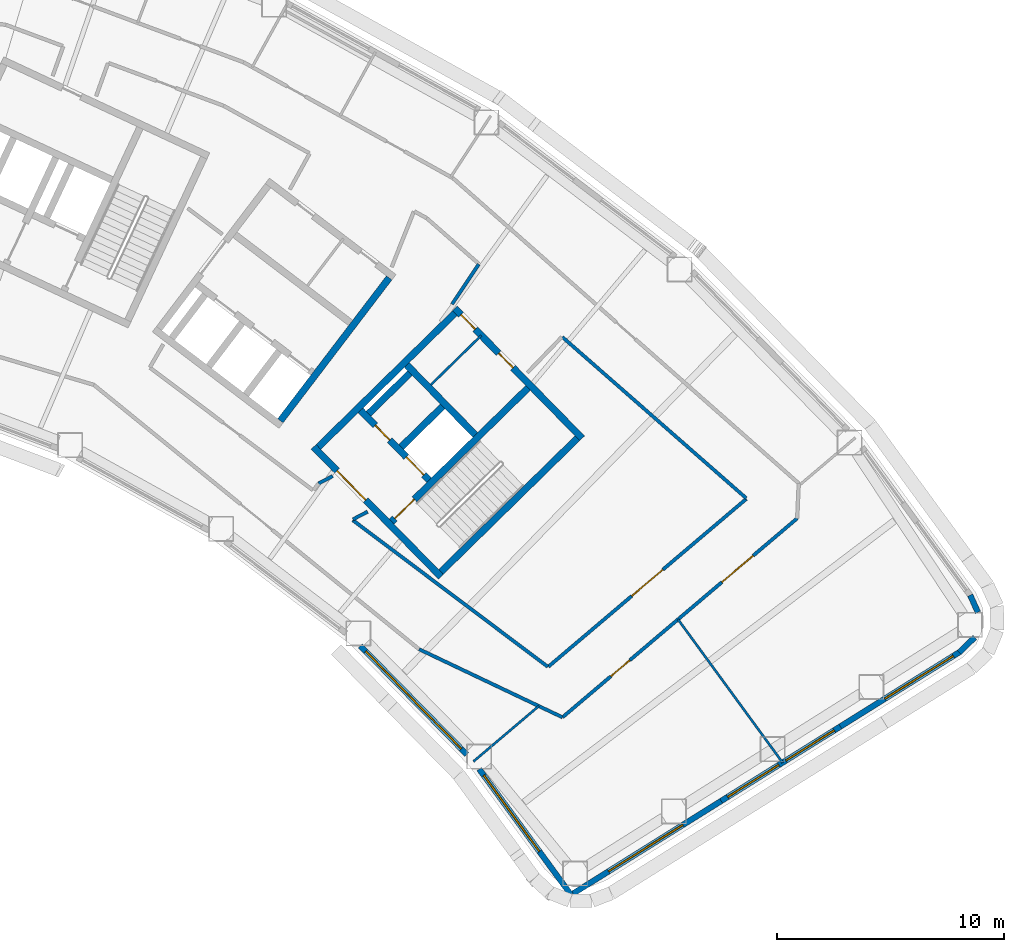
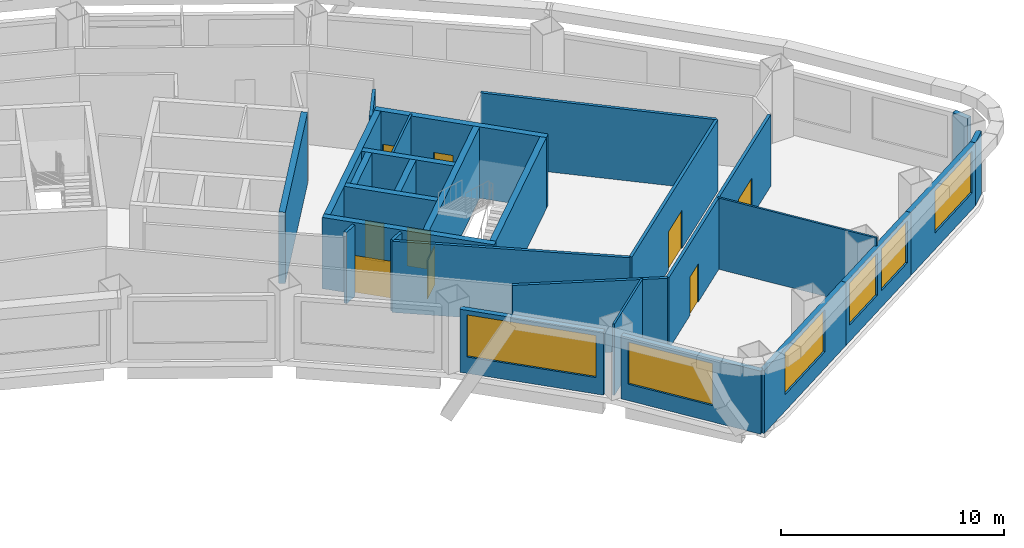
# One storey, part 7 of 12: 28 walls, 9 doors, 6 windows, 15 openings.
"""IFC4 building model written with IfcOpenShell, lengths in metres."""

from ifc_helpers import new_model, si_unit, direction, frame, frame_2d, origin, place, context, subcontext, project, spatial, rectangle, extrude, material, layer, layer_set, type_object, element, fill, save


model = new_model("IFC4")

# Units and contexts
model_context = context("Model", 3, precision=1e-05, world=origin(), true_north=direction((0.0, 1.0)))
body_context = subcontext(model_context, "Body", "Model", "MODEL_VIEW")
ifc_project = project(units=[si_unit("LENGTHUNIT", "METRE"), si_unit("AREAUNIT", "SQUARE_METRE"), si_unit("VOLUMEUNIT", "CUBIC_METRE"), si_unit("PLANEANGLEUNIT", "RADIAN"), si_unit("MASSUNIT", "GRAM", prefix="KILO")], contexts=[model_context])

# Site, building, storey
site_placement = place(None, origin())
site = spatial("IfcSite", under=ifc_project, at=site_placement, CompositionType="ELEMENT")
building_placement = place(site_placement, origin())
building = spatial("IfcBuilding", under=site, at=building_placement, Name="Tuul Gate Civic Tower", CompositionType="ELEMENT")
storey_placement = place(building_placement, frame((0.0, 0.0, 103.5)))
storey = spatial("IfcBuildingStorey", under=building, at=storey_placement, Name="Level 23", CompositionType="ELEMENT", Elevation=103.5)

# Wall, opening, door
ifc_material_1 = material(Name="Concrete C50/60", Category="concrete")
ifc_layer_1 = layer(ifc_material_1, 0.300048828125)
ifc_layer_set_1 = layer_set([ifc_layer_1], Name="Concrete C50/60")
wall_type_1 = type_object("IfcWallType", Name="Core wall C50/60", PredefinedType="SHEAR", material=ifc_layer_set_1)
wall_1_placement = place(storey_placement, frame((48.22509765625, -18.327880859375, 0.0), z_axis=(0.0, 0.0, 1.0), x_axis=(-0.700021979774, 0.714121297703, 0.0)))
wall_1 = element("IfcWall", 1, at=wall_1_placement, inside=storey, type_object=wall_type_1, Name="Core wall", PredefinedType="SHEAR", context=body_context, shape_type="SweptSolid", body=[
    extrude(rectangle(XDim=8.0, YDim=0.300048828125, at=frame_2d((4.0, 0.0))), origin(), (0.0, 0.0, 1.0), 3.89990234375),
])
opening_1_placement = place(wall_1_placement, frame((4.72509765625, 0.0, 0.0)))
opening_1 = element("IfcOpeningElement", 2, at=opening_1_placement, cuts=wall_1, Name="Opening LB-E1-LOBBY-1", PredefinedType="OPENING", context=body_context, shape_type="SweptSolid", body=[
    extrude(rectangle(XDim=1.800048828125, YDim=2.10009765625, at=frame_2d((0.89990234375, 1.050048828125))), frame((0.0, 0.16015625, 0.0), z_axis=(0.0, -1.0, 0.0), x_axis=(1.0, 0.0, 0.0)), (0.0, 0.0, 1.0), 0.320068359375),
])
ifc_material_2 = material(Name="Steel", Category="steel")
door_type_1 = type_object("IfcDoorType", Name="Lobby door", OperationType="DOUBLE_DOOR_SINGLE_SWING", PredefinedType="DOOR", material=ifc_material_2)
door_1_placement = place(opening_1_placement, frame((1.800048828125, 0.0, 0.0), z_axis=(0.0, 0.0, 1.0), x_axis=(-1.0, 0.0, 0.0)))
door_1 = element("IfcDoor", 3, at=door_1_placement, inside=storey, type_object=door_type_1, Name="Lobby door E1-LOBBY", OperationType="DOUBLE_DOOR_SINGLE_SWING", OverallHeight=2.10009765625, OverallWidth=1.800048828125, PredefinedType="DOOR", context=body_context, shape_type="SweptSolid", body=[
    extrude(rectangle(XDim=1.800048828125, YDim=2.10009765625, at=frame_2d((0.900146484375, 1.050048828125))), frame((0.0, 0.02490234375, 0.0), z_axis=(0.0, -1.0, 0.0), x_axis=(1.0, 0.0, 0.0)), (0.0, 0.0, 1.0), 0.050048828125),
])
fill(opening_1, door_1)

# Wall, openings, doors
wall_2_placement = place(storey_placement, frame((47.701904296875, -14.079833984375, 0.0), z_axis=(0.0, 0.0, 1.0), x_axis=(-0.700002721075, 0.714140175657, 0.0)))
wall_2 = element("IfcWall", 4, at=wall_2_placement, inside=storey, type_object=wall_type_1, Name="Core wall", PredefinedType="SHEAR", context=body_context, shape_type="SweptSolid", body=[
    extrude(rectangle(XDim=4.300048828125, YDim=0.300048828125, at=frame_2d((2.14990234375, 0.0))), origin(), (0.0, 0.0, 1.0), 3.89990234375),
])
opening_2_placement = place(wall_2_placement, frame((0.324951171875, 0.0, 0.0)))
opening_2 = element("IfcOpeningElement", 5, at=opening_2_placement, cuts=wall_2, Name="Opening LD-L4", PredefinedType="OPENING", context=body_context, shape_type="SweptSolid", body=[
    extrude(rectangle(XDim=1.10009765625, YDim=2.10009765625, at=frame_2d((0.550048828125, 1.050048828125))), frame((0.0, 0.16015625, 0.0), z_axis=(0.0, -1.0, 0.0), x_axis=(1.0, 0.0, 0.0)), (0.0, 0.0, 1.0), 0.320068359375),
])
opening_3_placement = place(wall_2_placement, frame((2.47509765625, 0.0, 0.0)))
opening_3 = element("IfcOpeningElement", 6, at=opening_3_placement, cuts=wall_2, Name="Opening FB-E1A2", PredefinedType="OPENING", context=body_context, shape_type="SweptSolid", body=[
    extrude(rectangle(XDim=0.89990234375, YDim=2.10009765625, at=frame_2d((0.449951171875, 1.050048828125))), frame((0.0, 0.16015625, 0.0), z_axis=(0.0, -1.0, 0.0), x_axis=(1.0, 0.0, 0.0)), (0.0, 0.0, 1.0), 0.320068359375),
])
ifc_material_3 = material(Name="Stainless steel", Category="steel")
door_type_2 = type_object("IfcDoorType", Name="Landing door", OperationType="DOUBLE_DOOR_SLIDING", PredefinedType="DOOR", material=ifc_material_3)
door_2_placement = place(opening_2_placement, origin())
door_2 = element("IfcDoor", 7, at=door_2_placement, inside=storey, type_object=door_type_2, Name="Low-rise lift L4 landing door", OperationType="DOUBLE_DOOR_SLIDING", OverallHeight=2.10009765625, OverallWidth=1.10009765625, PredefinedType="DOOR", context=body_context, shape_type="SweptSolid", body=[
    extrude(rectangle(XDim=1.10009765625, YDim=2.10009765625, at=frame_2d((0.550048828125, 1.050048828125))), frame((0.0, 0.02490234375, 0.0), z_axis=(0.0, -1.0, 0.0), x_axis=(1.0, 0.0, 0.0)), (0.0, 0.0, 1.0), 0.050048828125),
])
fill(opening_2, door_2)
ifc_material_4 = material(Name="Steel", Category="steel")
door_type_3 = type_object("IfcDoorType", Name="Store door", OperationType="NOTDEFINED", PredefinedType="DOOR", material=ifc_material_4)
door_3_placement = place(opening_3_placement, origin())
door_3 = element("IfcDoor", 8, at=door_3_placement, inside=storey, type_object=door_type_3, Name="Store door E1A2", OperationType="SINGLE_SWING_RIGHT", OverallHeight=2.10009765625, OverallWidth=0.89990234375, PredefinedType="DOOR", context=body_context, shape_type="SweptSolid", body=[
    extrude(rectangle(XDim=0.89990234375, YDim=2.10009765625, at=frame_2d((0.449951171875, 1.050048828125))), frame((0.0, 0.02490234375, 0.0), z_axis=(0.0, -1.0, 0.0), x_axis=(1.0, 0.0, 0.0)), (0.0, 0.0, 1.0), 0.050048828125),
])
fill(opening_3, door_3)

# Wall
wall_3_placement = place(storey_placement, frame((49.737060546875, -12.0849609375, 0.0), z_axis=(0.0, 0.0, 1.0), x_axis=(-0.700002721075, 0.714140175657, 0.0)))
element("IfcWall", 9, at=wall_3_placement, inside=storey, type_object=wall_type_1, Name="Core wall", PredefinedType="SHEAR", context=body_context, shape_type="SweptSolid", body=[
    extrude(rectangle(XDim=4.300048828125, YDim=0.300048828125, at=frame_2d((2.14990234375, 0.0))), origin(), (0.0, 0.0, 1.0), 3.89990234375),
])

# Wall, openings, doors
wall_4_placement = place(storey_placement, frame((54.43798828125, -12.23779296875, 0.0), z_axis=(0.0, 0.0, 1.0), x_axis=(-0.700021979774, 0.714121297703, 0.0)))
wall_4 = element("IfcWall", 10, at=wall_4_placement, inside=storey, type_object=wall_type_1, Name="Core wall", PredefinedType="SHEAR", context=body_context, shape_type="SweptSolid", body=[
    extrude(rectangle(XDim=8.0, YDim=0.300048828125, at=frame_2d((4.0, 0.0))), origin(), (0.0, 0.0, 1.0), 3.89990234375),
])
opening_4_placement = place(wall_4_placement, frame((4.34375, 0.0, 0.0)))
opening_4 = element("IfcOpeningElement", 11, at=opening_4_placement, cuts=wall_4, Name="Opening G-D29", PredefinedType="OPENING", context=body_context, shape_type="SweptSolid", body=[
    extrude(rectangle(XDim=0.89990234375, YDim=2.10009765625, at=frame_2d((0.449951171875, 1.050048828125))), frame((0.0, 0.16015625, 0.0), z_axis=(0.0, -1.0, 0.0), x_axis=(1.0, 0.0, 0.0)), (0.0, 0.0, 1.0), 0.320068359375),
])
opening_5_placement = place(wall_4_placement, frame((6.71875, 0.0, 0.0)))
opening_5 = element("IfcOpeningElement", 12, at=opening_5_placement, cuts=wall_4, Name="Opening G-D30", PredefinedType="OPENING", context=body_context, shape_type="SweptSolid", body=[
    extrude(rectangle(XDim=0.89990234375, YDim=2.10009765625, at=frame_2d((0.449951171875, 1.050048828125))), frame((0.0, 0.16015625, 0.0), z_axis=(0.0, -1.0, 0.0), x_axis=(1.0, 0.0, 0.0)), (0.0, 0.0, 1.0), 0.320068359375),
])
ifc_material_5 = material(Name="Timber door leaf", Category="wood")
door_type_4 = type_object("IfcDoorType", Name="Door D09", OperationType="NOTDEFINED", PredefinedType="DOOR", material=ifc_material_5)
door_4_placement = place(opening_4_placement, origin())
door_4 = element("IfcDoor", 13, at=door_4_placement, inside=storey, type_object=door_type_4, Name="Door G-D29", OperationType="SINGLE_SWING_LEFT", OverallHeight=2.10009765625, OverallWidth=0.89990234375, PredefinedType="DOOR", context=body_context, shape_type="SweptSolid", body=[
    extrude(rectangle(XDim=0.89990234375, YDim=2.10009765625, at=frame_2d((0.449951171875, 1.050048828125))), frame((0.0, 0.02490234375, 0.0), z_axis=(0.0, -1.0, 0.0), x_axis=(1.0, 0.0, 0.0)), (0.0, 0.0, 1.0), 0.050048828125),
])
fill(opening_4, door_4)
door_5_placement = place(opening_5_placement, origin())
door_5 = element("IfcDoor", 14, at=door_5_placement, inside=storey, type_object=door_type_4, Name="Door G-D30", OperationType="SINGLE_SWING_LEFT", OverallHeight=2.10009765625, OverallWidth=0.89990234375, PredefinedType="DOOR", context=body_context, shape_type="SweptSolid", body=[
    extrude(rectangle(XDim=0.89990234375, YDim=2.10009765625, at=frame_2d((0.449951171875, 1.050048828125))), frame((0.0, 0.02490234375, 0.0), z_axis=(0.0, -1.0, 0.0), x_axis=(1.0, 0.0, 0.0)), (0.0, 0.0, 1.0), 0.050048828125),
])
fill(opening_5, door_5)

# Wall
wall_5_placement = place(storey_placement, frame((48.227294921875, -18.115966796875, 0.0), z_axis=(0.0, 0.0, 1.0), x_axis=(0.714105315431, 0.700038283577, 0.0)))
element("IfcWall", 15, at=wall_5_placement, inside=storey, type_object=wall_type_1, Name="Core wall", PredefinedType="SHEAR", context=body_context, shape_type="SweptSolid", body=[
    extrude(rectangle(XDim=8.400146484375, YDim=0.300048828125, at=frame_2d((4.2001953125, 0.0))), origin(), (0.0, 0.0, 1.0), 3.89990234375),
])

# Wall, opening, door
wall_6_placement = place(storey_placement, frame((46.05712890625, -15.902099609375, 0.0), z_axis=(0.0, 0.0, 1.0), x_axis=(0.714134086973, 0.700008932674, 0.0)))
wall_6 = element("IfcWall", 16, at=wall_6_placement, inside=storey, type_object=wall_type_1, Name="Core wall", PredefinedType="SHEAR", context=body_context, shape_type="SweptSolid", body=[
    extrude(rectangle(XDim=8.400146484375, YDim=0.300048828125, at=frame_2d((4.2001953125, 0.0))), origin(), (0.0, 0.0, 1.0), 3.89990234375),
])
opening_6_placement = place(wall_6_placement, frame((0.199951171875, 0.0, 0.0)))
opening_6 = element("IfcOpeningElement", 17, at=opening_6_placement, cuts=wall_6, Name="Opening SD-ST-3", PredefinedType="OPENING", context=body_context, shape_type="SweptSolid", body=[
    extrude(rectangle(XDim=1.199951171875, YDim=2.10009765625, at=frame_2d((0.60009765625, 1.050048828125))), frame((0.0, 0.16015625, 0.0), z_axis=(0.0, -1.0, 0.0), x_axis=(1.0, 0.0, 0.0)), (0.0, 0.0, 1.0), 0.320068359375),
])
ifc_material_6 = material(Name="Steel", Category="steel")
door_type_5 = type_object("IfcDoorType", Name="Stair door", OperationType="NOTDEFINED", PredefinedType="DOOR", material=ifc_material_6)
door_6_placement = place(opening_6_placement, origin())
door_6 = element("IfcDoor", 18, at=door_6_placement, inside=storey, type_object=door_type_5, Name="Stair door ST-3", OperationType="SINGLE_SWING_LEFT", OverallHeight=2.10009765625, OverallWidth=1.199951171875, PredefinedType="DOOR", context=body_context, shape_type="SweptSolid", body=[
    extrude(rectangle(XDim=1.199951171875, YDim=2.10009765625, at=frame_2d((0.60009765625, 1.050048828125))), frame((0.0, 0.02490234375, 0.0), z_axis=(0.0, -1.0, 0.0), x_axis=(1.0, 0.0, 0.0)), (0.0, 0.0, 1.0), 0.050048828125),
])
fill(opening_6, door_6)

# Walls
wall_7_placement = place(storey_placement, frame((46.47900390625, -12.617919921875, 0.0), z_axis=(0.0, 0.0, 1.0), x_axis=(0.71410944159, 0.700034074479, 0.0)))
element("IfcWall", 19, at=wall_7_placement, inside=storey, type_object=wall_type_1, Name="Core wall", PredefinedType="SHEAR", context=body_context, shape_type="SweptSolid", body=[
    extrude(rectangle(XDim=2.5498046875, YDim=0.300048828125, at=frame_2d((1.27490234375, 0.0))), origin(), (0.0, 0.0, 1.0), 3.89990234375),
])
wall_8_placement = place(storey_placement, frame((45.0439453125, -11.154052734375, 0.0), z_axis=(0.0, 0.0, 1.0), x_axis=(0.714108498262, 0.700035036773, 0.0)))
element("IfcWall", 20, at=wall_8_placement, inside=storey, type_object=wall_type_1, Name="Core wall", PredefinedType="SHEAR", context=body_context, shape_type="SweptSolid", body=[
    extrude(rectangle(XDim=2.550048828125, YDim=0.300048828125, at=frame_2d((1.27490234375, 0.0))), origin(), (0.0, 0.0, 1.0), 3.89990234375),
])
wall_9_placement = place(storey_placement, frame((42.837158203125, -12.616943359375, 0.0), z_axis=(0.0, 0.0, 1.0), x_axis=(0.714119844755, 0.700023461983, 0.0)))
element("IfcWall", 21, at=wall_9_placement, inside=storey, type_object=wall_type_1, Name="Core wall", PredefinedType="SHEAR", context=body_context, shape_type="SweptSolid", body=[
    extrude(rectangle(XDim=8.39990234375, YDim=0.300048828125, at=frame_2d((4.199951171875, 0.0))), origin(), (0.0, 0.0, 1.0), 3.89990234375),
])
ifc_material_7 = material(Name="Gypsum board partition")
ifc_layer_2 = layer(ifc_material_7, 0.14990234375)
ifc_layer_set_2 = layer_set([ifc_layer_2], Name="Gypsum board partition")
wall_type_2 = type_object("IfcWallType", Name="Corridor wall P150", PredefinedType="PARTITIONING", material=ifc_layer_set_2)
wall_10_placement = place(storey_placement, frame((47.263916015625, -21.514892578125, 0.0), z_axis=(0.0, 0.0, 1.0), x_axis=(0.90329952293, -0.429010456603, 0.0)))
element("IfcWall", 22, at=wall_10_placement, inside=storey, type_object=wall_type_2, Name="p030", PredefinedType="PARTITIONING", context=body_context, shape_type="SweptSolid", body=[
    extrude(rectangle(XDim=6.982666015625, YDim=0.14990234375, at=frame_2d((3.4912109375, 0.0))), origin(), (0.0, 0.0, 1.0), 3.89990234375),
])
wall_11_placement = place(storey_placement, frame((53.56689453125, -7.78369140625, 0.0), z_axis=(0.0, 0.0, 1.0), x_axis=(0.752056289821, -0.659098882521, 0.0)))
element("IfcWall", 23, at=wall_11_placement, inside=storey, type_object=wall_type_2, Name="p045", PredefinedType="PARTITIONING", context=body_context, shape_type="SweptSolid", body=[
    extrude(rectangle(XDim=10.757568359375, YDim=0.14990234375, at=frame_2d((5.37890625, 0.0))), origin(), (0.0, 0.0, 1.0), 3.89990234375),
])

# Wall, opening, door
wall_12_placement = place(storey_placement, frame((52.9501953125, -22.284423828125, 0.0), z_axis=(0.0, 0.0, 1.0), x_axis=(0.762831044149, 0.646597864273, 0.0)))
wall_12 = element("IfcWall", 24, at=wall_12_placement, inside=storey, type_object=wall_type_2, Name="p046", PredefinedType="PARTITIONING", context=body_context, shape_type="SweptSolid", body=[
    extrude(rectangle(XDim=11.413818359375, YDim=0.14990234375, at=frame_2d((5.70703125, 0.0))), origin(), (0.0, 0.0, 1.0), 3.89990234375),
])
opening_7_placement = place(wall_12_placement, frame((4.806884765625, 0.0, 0.0)))
opening_7 = element("IfcOpeningElement", 25, at=opening_7_placement, cuts=wall_12, Name="Opening G-D14", PredefinedType="OPENING", context=body_context, shape_type="SweptSolid", body=[
    extrude(rectangle(XDim=1.800048828125, YDim=2.10009765625, at=frame_2d((0.89990234375, 1.050048828125))), frame((0.0, 0.0849609375, 0.0), z_axis=(0.0, -1.0, 0.0), x_axis=(1.0, 0.0, 0.0)), (0.0, 0.0, 1.0), 0.169921875),
])
ifc_material_8 = material(Name="Timber door leaf, double", Category="wood")
door_type_6 = type_object("IfcDoorType", Name="Door D18", OperationType="DOUBLE_DOOR_SINGLE_SWING", PredefinedType="DOOR", material=ifc_material_8)
door_7_placement = place(opening_7_placement, origin())
door_7 = element("IfcDoor", 26, at=door_7_placement, inside=storey, type_object=door_type_6, Name="Door G-D14", OperationType="DOUBLE_DOOR_SINGLE_SWING", OverallHeight=2.10009765625, OverallWidth=1.800048828125, PredefinedType="DOOR", context=body_context, shape_type="SweptSolid", body=[
    extrude(rectangle(XDim=1.800048828125, YDim=2.10009765625, at=frame_2d((0.89990234375, 1.050048828125))), frame((0.0, 0.02490234375, 0.0), z_axis=(0.0, -1.0, 0.0), x_axis=(1.0, 0.0, 0.0)), (0.0, 0.0, 1.0), 0.050048828125),
])
fill(opening_7, door_7)

# Walls
wall_13_placement = place(storey_placement, frame((44.349365234375, -15.83837890625, 0.0), z_axis=(0.0, 0.0, 1.0), x_axis=(0.799325027791, -0.600898909923, 0.0)))
element("IfcWall", 27, at=wall_13_placement, inside=storey, type_object=wall_type_2, Name="p048", PredefinedType="PARTITIONING", context=body_context, shape_type="SweptSolid", body=[
    extrude(rectangle(XDim=10.72900390625, YDim=0.14990234375, at=frame_2d((5.364501953125, 0.0))), origin(), (0.0, 0.0, 1.0), 3.89990234375),
])
wall_14_placement = place(storey_placement, frame((44.35205078125, -15.8046875, 0.0), z_axis=(0.0, 0.0, 1.0), x_axis=(0.885563012324, 0.464519268927, 0.0)))
element("IfcWall", 28, at=wall_14_placement, inside=storey, type_object=wall_type_2, Name="p049", PredefinedType="PARTITIONING", context=body_context, shape_type="SweptSolid", body=[
    extrude(rectangle(XDim=0.72998046875, YDim=0.14990234375, at=frame_2d((0.364990234375, 0.0))), origin(), (0.0, 0.0, 1.0), 3.89990234375),
])
wall_15_placement = place(storey_placement, frame((42.84375, -14.224365234375, 0.0), z_axis=(0.0, 0.0, 1.0), x_axis=(0.885606048762, 0.464437214698, 0.0)))
element("IfcWall", 29, at=wall_15_placement, inside=storey, type_object=wall_type_2, Name="p050", PredefinedType="PARTITIONING", context=body_context, shape_type="SweptSolid", body=[
    extrude(rectangle(XDim=0.69970703125, YDim=0.14990234375, at=frame_2d((0.349853515625, 0.0))), origin(), (0.0, 0.0, 1.0), 3.89990234375),
])

# Wall, openings, doors
wall_16_placement = place(storey_placement, frame((53.572021484375, -24.510498046875, 0.0), z_axis=(0.0, 0.0, 1.0), x_axis=(0.762824270541, 0.646605855428, 0.0)))
wall_16 = element("IfcWall", 30, at=wall_16_placement, inside=storey, type_object=wall_type_2, Name="p081", PredefinedType="PARTITIONING", context=body_context, shape_type="SweptSolid", body=[
    extrude(rectangle(XDim=13.534912109375, YDim=0.14990234375, at=frame_2d((6.767578125, 0.0))), origin(), (0.0, 0.0, 1.0), 3.89990234375),
])
opening_8_placement = place(wall_16_placement, frame((9.1982421875, 0.0, 0.0)))
opening_8 = element("IfcOpeningElement", 31, at=opening_8_placement, cuts=wall_16, Name="Opening G-D21", PredefinedType="OPENING", context=body_context, shape_type="SweptSolid", body=[
    extrude(rectangle(XDim=1.800048828125, YDim=2.10009765625, at=frame_2d((0.89990234375, 1.050048828125))), frame((0.0, 0.0849609375, 0.0), z_axis=(0.0, -1.0, 0.0), x_axis=(1.0, 0.0, 0.0)), (0.0, 0.0, 1.0), 0.169921875),
])
opening_9_placement = place(wall_16_placement, frame((2.78076171875, 0.0, 0.0)))
opening_9 = element("IfcOpeningElement", 32, at=opening_9_placement, cuts=wall_16, Name="Opening G-D22", PredefinedType="OPENING", context=body_context, shape_type="SweptSolid", body=[
    extrude(rectangle(XDim=1.10009765625, YDim=2.10009765625, at=frame_2d((0.550048828125, 1.050048828125))), frame((0.0, 0.0849609375, 0.0), z_axis=(0.0, -1.0, 0.0), x_axis=(1.0, 0.0, 0.0)), (0.0, 0.0, 1.0), 0.169921875),
])
ifc_material_9 = material(Name="Timber door leaf", Category="wood")
door_type_7 = type_object("IfcDoorType", Name="Door D11", OperationType="NOTDEFINED", PredefinedType="DOOR", material=ifc_material_9)
door_8_placement = place(opening_9_placement, frame((1.10009765625, 0.0, 0.0), z_axis=(0.0, 0.0, 1.0), x_axis=(-1.0, 0.0, 0.0)))
door_8 = element("IfcDoor", 33, at=door_8_placement, inside=storey, type_object=door_type_7, Name="Door G-D22", OperationType="SINGLE_SWING_LEFT", OverallHeight=2.10009765625, OverallWidth=1.10009765625, PredefinedType="DOOR", context=body_context, shape_type="SweptSolid", body=[
    extrude(rectangle(XDim=1.10009765625, YDim=2.10009765625, at=frame_2d((0.550048828125, 1.050048828125))), frame((0.0, 0.02490234375, 0.0), z_axis=(0.0, -1.0, 0.0), x_axis=(1.0, 0.0, 0.0)), (0.0, 0.0, 1.0), 0.050048828125),
])
fill(opening_9, door_8)
door_9_placement = place(opening_8_placement, frame((1.800048828125, 0.0, 0.0), z_axis=(0.0, 0.0, 1.0), x_axis=(-1.0, 0.0, 0.0)))
door_9 = element("IfcDoor", 34, at=door_9_placement, inside=storey, type_object=door_type_6, Name="Door G-D21", OperationType="DOUBLE_DOOR_SINGLE_SWING", OverallHeight=2.10009765625, OverallWidth=1.800048828125, PredefinedType="DOOR", context=body_context, shape_type="SweptSolid", body=[
    extrude(rectangle(XDim=1.800048828125, YDim=2.10009765625, at=frame_2d((0.900146484375, 1.050048828125))), frame((0.0, 0.02490234375, 0.0), z_axis=(0.0, -1.0, 0.0), x_axis=(1.0, 0.0, 0.0)), (0.0, 0.0, 1.0), 0.050048828125),
])
fill(opening_8, door_9)

# Walls
ifc_material_10 = material(Name="Gypsum board partition")
ifc_layer_3 = layer(ifc_material_10, 0.14990234375)
ifc_layer_set_3 = layer_set([ifc_layer_3], Name="Gypsum board partition")
wall_type_3 = type_object("IfcWallType", Name="Corridor wall P150 3400 HIGH", PredefinedType="PARTITIONING", material=ifc_layer_set_3)
wall_17_placement = place(storey_placement, frame((48.715576171875, -6.337890625, 0.0), z_axis=(0.0, 0.0, 1.0), x_axis=(0.555393956598, 0.831587369417, 0.0)))
element("IfcWall", 35, at=wall_17_placement, inside=storey, type_object=wall_type_3, Name="p056", PredefinedType="PARTITIONING", context=body_context, shape_type="SweptSolid", body=[
    extrude(rectangle(XDim=2.11083984375, YDim=0.14990234375, at=frame_2d((1.055419921875, 0.0))), origin(), (0.0, 0.0, 1.0), 3.39990234375),
])
ifc_material_11 = material(Name="Precast concrete C40/50", Category="concrete")
ifc_layer_4 = layer(ifc_material_11, 0.25)
ifc_layer_set_4 = layer_set([ifc_layer_4], Name="Precast concrete C40/50")
wall_type_4 = type_object("IfcWallType", Name="External wall", PredefinedType="STANDARD", material=ifc_layer_set_4)
wall_18_placement = place(storey_placement, frame((71.01953125, -21.65478515625, 0.0), z_axis=(0.0, 0.0, 1.0), x_axis=(0.721494337976, 0.692420334961, 0.0)))
element("IfcWall", 36, at=wall_18_placement, inside=storey, type_object=wall_type_4, Name="External wall", PredefinedType="STANDARD", context=body_context, shape_type="SweptSolid", body=[
    extrude(rectangle(XDim=0.957275390625, YDim=0.25, at=frame_2d((0.478515625, 0.0))), origin(), (0.0, 0.0, 1.0), 3.449951171875),
])
wall_19_placement = place(storey_placement, frame((71.84765625, -19.89208984375, 0.0), z_axis=(0.0, 0.0, 1.0), x_axis=(-0.412982206982, 0.910739093658, 0.0)))
element("IfcWall", 37, at=wall_19_placement, inside=storey, type_object=wall_type_4, Name="External wall", PredefinedType="STANDARD", context=body_context, shape_type="SweptSolid", body=[
    extrude(rectangle(XDim=0.829345703125, YDim=0.25, at=frame_2d((0.41455078125, 0.0))), origin(), (0.0, 0.0, 1.0), 3.449951171875),
])

# Wall, opening, window
wall_20_placement = place(storey_placement, frame((44.679931640625, -21.366943359375, 0.0), z_axis=(0.0, 0.0, 1.0), x_axis=(0.700023947057, -0.714119369256, 0.0)))
wall_20 = element("IfcWall", 38, at=wall_20_placement, inside=storey, type_object=wall_type_4, Name="External wall", PredefinedType="STANDARD", context=body_context, shape_type="SweptSolid", body=[
    extrude(rectangle(XDim=6.685791015625, YDim=0.25, at=frame_2d((3.3427734375, 0.0))), origin(), (0.0, 0.0, 1.0), 3.449951171875),
])
opening_10_placement = place(wall_20_placement, frame((0.343994140625, 0.0, 0.89990234375)))
opening_10 = element("IfcOpeningElement", 39, at=opening_10_placement, cuts=wall_20, Name="Opening W26", PredefinedType="OPENING", context=body_context, shape_type="SweptSolid", body=[
    extrude(rectangle(XDim=6.0, YDim=2.300048828125, at=frame_2d((3.0, 1.14990234375))), frame((0.0, 0.135009765625, 0.0), z_axis=(0.0, -1.0, 0.0), x_axis=(1.0, 0.0, 0.0)), (0.0, 0.0, 1.0), 0.27001953125),
])
ifc_material_12 = material(Name="Glass", Category="glass")
window_type_1 = type_object("IfcWindowType", Name="Window W26 6000 x 2300", PartitioningType="SINGLE_PANEL", PredefinedType="WINDOW", material=ifc_material_12)
window_1_placement = place(opening_10_placement, origin())
window_1 = element("IfcWindow", 40, at=window_1_placement, inside=storey, type_object=window_type_1, Name="Window", OverallHeight=2.300048828125, OverallWidth=6.0, PartitioningType="SINGLE_PANEL", PredefinedType="WINDOW", context=body_context, shape_type="SweptSolid", body=[
    extrude(rectangle(XDim=6.0, YDim=2.300048828125, at=frame_2d((3.0, 1.14990234375))), frame((0.0, 0.030029296875, 0.0), z_axis=(0.0, -1.0, 0.0), x_axis=(1.0, 0.0, 0.0)), (0.0, 0.0, 1.0), 0.06005859375),
])
fill(opening_10, window_1)

wall_21_placement = place(storey_placement, frame((49.9091796875, -26.7880859375, 0.0), z_axis=(0.0, 0.0, 1.0), x_axis=(0.589741263703, -0.807592249769, 0.0)))
wall_21 = element("IfcWall", 41, at=wall_21_placement, inside=storey, type_object=wall_type_4, Name="External wall", PredefinedType="STANDARD", context=body_context, shape_type="SweptSolid", body=[
    extrude(rectangle(XDim=6.848388671875, YDim=0.25, at=frame_2d((3.42431640625, 0.0))), origin(), (0.0, 0.0, 1.0), 3.449951171875),
])
opening_11_placement = place(wall_21_placement, frame((0.341796875, 0.0, 0.89990234375)))
opening_11 = element("IfcOpeningElement", 42, at=opening_11_placement, cuts=wall_21, Name="Opening W25", PredefinedType="OPENING", context=body_context, shape_type="SweptSolid", body=[
    extrude(rectangle(XDim=4.14990234375, YDim=2.300048828125, at=frame_2d((2.074951171875, 1.14990234375))), frame((0.0, 0.135009765625, 0.0), z_axis=(0.0, -1.0, 0.0), x_axis=(1.0, 0.0, 0.0)), (0.0, 0.0, 1.0), 0.27001953125),
])
ifc_material_13 = material(Name="Glass", Category="glass")
window_type_2 = type_object("IfcWindowType", Name="Window W25 4150 x 2300", PartitioningType="SINGLE_PANEL", PredefinedType="WINDOW", material=ifc_material_13)
window_2_placement = place(opening_11_placement, origin())
window_2 = element("IfcWindow", 43, at=window_2_placement, inside=storey, type_object=window_type_2, Name="Window", OverallHeight=2.300048828125, OverallWidth=4.14990234375, PartitioningType="SINGLE_PANEL", PredefinedType="WINDOW", context=body_context, shape_type="SweptSolid", body=[
    extrude(rectangle(XDim=4.14990234375, YDim=2.300048828125, at=frame_2d((2.074951171875, 1.14990234375))), frame((0.0, 0.030029296875, 0.0), z_axis=(0.0, -1.0, 0.0), x_axis=(1.0, 0.0, 0.0)), (0.0, 0.0, 1.0), 0.06005859375),
])
fill(opening_11, window_2)

wall_22_placement = place(storey_placement, frame((53.947998046875, -32.31884765625, 0.0), z_axis=(0.0, 0.0, 1.0), x_axis=(0.848051131154, 0.529914407191, 0.0)))
wall_22 = element("IfcWall", 44, at=wall_22_placement, inside=storey, type_object=wall_type_4, Name="External wall", PredefinedType="STANDARD", context=body_context, shape_type="SweptSolid", body=[
    extrude(rectangle(XDim=7.788330078125, YDim=0.25, at=frame_2d((3.89404296875, 0.0))), origin(), (0.0, 0.0, 1.0), 3.449951171875),
])
opening_12_placement = place(wall_22_placement, frame((1.944091796875, 0.0, 0.89990234375)))
opening_12 = element("IfcOpeningElement", 45, at=opening_12_placement, cuts=wall_22, Name="Opening W22", PredefinedType="OPENING", context=body_context, shape_type="SweptSolid", body=[
    extrude(rectangle(XDim=3.85009765625, YDim=2.300048828125, at=frame_2d((1.925048828125, 1.14990234375))), frame((0.0, 0.135009765625, 0.0), z_axis=(0.0, -1.0, 0.0), x_axis=(1.0, 0.0, 0.0)), (0.0, 0.0, 1.0), 0.27001953125),
])
ifc_material_14 = material(Name="Glass", Category="glass")
window_type_3 = type_object("IfcWindowType", Name="Window W22 3850 x 2300", PartitioningType="SINGLE_PANEL", PredefinedType="WINDOW", material=ifc_material_14)
window_3_placement = place(opening_12_placement, origin())
window_3 = element("IfcWindow", 46, at=window_3_placement, inside=storey, type_object=window_type_3, Name="Window", OverallHeight=2.300048828125, OverallWidth=3.85009765625, PartitioningType="SINGLE_PANEL", PredefinedType="WINDOW", context=body_context, shape_type="SweptSolid", body=[
    extrude(rectangle(XDim=3.85009765625, YDim=2.300048828125, at=frame_2d((1.925048828125, 1.14990234375))), frame((0.0, 0.030029296875, 0.0), z_axis=(0.0, -1.0, 0.0), x_axis=(1.0, 0.0, 0.0)), (0.0, 0.0, 1.0), 0.06005859375),
])
fill(opening_12, window_3)

# Wall, openings, windows
wall_23_placement = place(storey_placement, frame((60.552978515625, -28.191650390625, 0.0), z_axis=(0.0, 0.0, 1.0), x_axis=(0.848053758074, 0.529910203164, 0.0)))
wall_23 = element("IfcWall", 47, at=wall_23_placement, inside=storey, type_object=wall_type_4, Name="External wall", PredefinedType="STANDARD", context=body_context, shape_type="SweptSolid", body=[
    extrude(rectangle(XDim=6.182861328125, YDim=0.25, at=frame_2d((3.09130859375, 0.0))), origin(), (0.0, 0.0, 1.0), 3.449951171875),
])
opening_13_placement = place(wall_23_placement, frame((0.339111328125, 0.0, 0.89990234375)))
opening_13 = element("IfcOpeningElement", 48, at=opening_13_placement, cuts=wall_23, Name="Opening W37", PredefinedType="OPENING", context=body_context, shape_type="SweptSolid", body=[
    extrude(rectangle(XDim=2.64990234375, YDim=2.300048828125, at=frame_2d((1.324951171875, 1.14990234375))), frame((0.0, 0.135009765625, 0.0), z_axis=(0.0, -1.0, 0.0), x_axis=(1.0, 0.0, 0.0)), (0.0, 0.0, 1.0), 0.27001953125),
])
opening_14_placement = place(wall_23_placement, frame((3.3642578125, 0.0, 0.89990234375)))
opening_14 = element("IfcOpeningElement", 49, at=opening_14_placement, cuts=wall_23, Name="Opening W38", PredefinedType="OPENING", context=body_context, shape_type="SweptSolid", body=[
    extrude(rectangle(XDim=2.5, YDim=2.300048828125, at=frame_2d((1.25, 1.14990234375))), frame((0.0, 0.135009765625, 0.0), z_axis=(0.0, -1.0, 0.0), x_axis=(1.0, 0.0, 0.0)), (0.0, 0.0, 1.0), 0.27001953125),
])
ifc_material_15 = material(Name="Glass", Category="glass")
window_type_4 = type_object("IfcWindowType", Name="Window 2500 x 2300", PartitioningType="SINGLE_PANEL", PredefinedType="WINDOW", material=ifc_material_15)
window_4_placement = place(opening_14_placement, origin())
window_4 = element("IfcWindow", 50, at=window_4_placement, inside=storey, type_object=window_type_4, Name="Window", OverallHeight=2.300048828125, OverallWidth=2.5, PartitioningType="SINGLE_PANEL", PredefinedType="WINDOW", context=body_context, shape_type="SweptSolid", body=[
    extrude(rectangle(XDim=2.5, YDim=2.300048828125, at=frame_2d((1.25, 1.14990234375))), frame((0.0, 0.030029296875, 0.0), z_axis=(0.0, -1.0, 0.0), x_axis=(1.0, 0.0, 0.0)), (0.0, 0.0, 1.0), 0.06005859375),
])
fill(opening_14, window_4)
ifc_material_16 = material(Name="Glass", Category="glass")
window_type_5 = type_object("IfcWindowType", Name="Window 2650 x 2300", PartitioningType="SINGLE_PANEL", PredefinedType="WINDOW", material=ifc_material_16)
window_5_placement = place(opening_13_placement, origin())
window_5 = element("IfcWindow", 51, at=window_5_placement, inside=storey, type_object=window_type_5, Name="Window", OverallHeight=2.300048828125, OverallWidth=2.64990234375, PartitioningType="SINGLE_PANEL", PredefinedType="WINDOW", context=body_context, shape_type="SweptSolid", body=[
    extrude(rectangle(XDim=2.64990234375, YDim=2.300048828125, at=frame_2d((1.324951171875, 1.14990234375))), frame((0.0, 0.030029296875, 0.0), z_axis=(0.0, -1.0, 0.0), x_axis=(1.0, 0.0, 0.0)), (0.0, 0.0, 1.0), 0.06005859375),
])
fill(opening_13, window_5)

# Wall, opening, window
wall_24_placement = place(storey_placement, frame((65.79638671875, -24.915283203125, 0.0), z_axis=(0.0, 0.0, 1.0), x_axis=(0.848053758074, 0.529910203164, 0.0)))
wall_24 = element("IfcWall", 52, at=wall_24_placement, inside=storey, type_object=wall_type_4, Name="External wall", PredefinedType="STANDARD", context=body_context, shape_type="SweptSolid", body=[
    extrude(rectangle(XDim=6.182861328125, YDim=0.25, at=frame_2d((3.09130859375, 0.0))), origin(), (0.0, 0.0, 1.0), 3.449951171875),
])
opening_15_placement = place(wall_24_placement, frame((2.30908203125, 0.0, 0.89990234375)))
opening_15 = element("IfcOpeningElement", 53, at=opening_15_placement, cuts=wall_24, Name="Opening W112", PredefinedType="OPENING", context=body_context, shape_type="SweptSolid", body=[
    extrude(rectangle(XDim=3.550048828125, YDim=2.300048828125, at=frame_2d((1.77490234375, 1.14990234375))), frame((0.0, 0.135009765625, 0.0), z_axis=(0.0, -1.0, 0.0), x_axis=(1.0, 0.0, 0.0)), (0.0, 0.0, 1.0), 0.27001953125),
])
ifc_material_17 = material(Name="Glass", Category="glass")
window_type_6 = type_object("IfcWindowType", Name="Window W112 3550 x 2300", PartitioningType="SINGLE_PANEL", PredefinedType="WINDOW", material=ifc_material_17)
window_6_placement = place(opening_15_placement, origin())
window_6 = element("IfcWindow", 54, at=window_6_placement, inside=storey, type_object=window_type_6, Name="Window", OverallHeight=2.300048828125, OverallWidth=3.550048828125, PartitioningType="SINGLE_PANEL", PredefinedType="WINDOW", context=body_context, shape_type="SweptSolid", body=[
    extrude(rectangle(XDim=3.550048828125, YDim=2.300048828125, at=frame_2d((1.77490234375, 1.14990234375))), frame((0.0, 0.030029296875, 0.0), z_axis=(0.0, -1.0, 0.0), x_axis=(1.0, 0.0, 0.0)), (0.0, 0.0, 1.0), 0.06005859375),
])
fill(opening_15, window_6)

# Walls
ifc_material_18 = material(Name="Concrete C40/50", Category="concrete")
ifc_layer_5 = layer(ifc_material_18, 0.300048828125)
ifc_layer_set_5 = layer_set([ifc_layer_5], Name="Concrete C40/50")
wall_type_5 = type_object("IfcWallType", Name="Lift shaft wall C40/50", PredefinedType="STANDARD", material=ifc_layer_set_5)
wall_25_placement = place(storey_placement, frame((41.163330078125, -11.46728515625, 0.0), z_axis=(0.0, 0.0, 1.0), x_axis=(0.605784332699, 0.795628897324, 0.0)))
element("IfcWall", 55, at=wall_25_placement, inside=storey, type_object=wall_type_5, Name="Shaft wall", PredefinedType="STANDARD", context=body_context, shape_type="SweptSolid", body=[
    extrude(rectangle(XDim=7.89990234375, YDim=0.300048828125, at=frame_2d((3.949951171875, 0.0))), origin(), (0.0, 0.0, 1.0), 3.89990234375),
])
ifc_material_19 = material(Name="Gypsum board partition")
ifc_layer_6 = layer(ifc_material_19, 0.10009765625)
ifc_layer_set_6 = layer_set([ifc_layer_6], Name="Gypsum board partition")
wall_type_6 = type_object("IfcWallType", Name="Partition P100", PredefinedType="PARTITIONING", material=ifc_layer_set_6)
wall_26_placement = place(storey_placement, frame((49.657470703125, -26.451904296875, 0.0), z_axis=(0.0, 0.0, 1.0), x_axis=(0.762850085394, 0.646575399481, 0.0)))
element("IfcWall", 56, at=wall_26_placement, inside=storey, type_object=wall_type_6, Name="p002", PredefinedType="PARTITIONING", context=body_context, shape_type="SweptSolid", body=[
    extrude(rectangle(XDim=3.766845703125, YDim=0.10009765625, at=frame_2d((1.88330078125, 0.0))), origin(), (0.0, 0.0, 1.0), 3.89990234375),
])
wall_27_placement = place(storey_placement, frame((58.65380859375, -20.202880859375, 0.0), z_axis=(0.0, 0.0, 1.0), x_axis=(0.589799379416, -0.807549807777, 0.0)))
element("IfcWall", 57, at=wall_27_placement, inside=storey, type_object=wall_type_6, Name="p080", PredefinedType="PARTITIONING", context=body_context, shape_type="SweptSolid", body=[
    extrude(rectangle(XDim=7.806884765625, YDim=0.10009765625, at=frame_2d((3.9033203125, 0.0))), origin(), (0.0, 0.0, 1.0), 3.89990234375),
])
wall_28_placement = place(storey_placement, frame((47.787841796875, -9.882080078125, 0.0), z_axis=(0.0, 0.0, 1.0), x_axis=(0.714119924869, 0.700023380256, 0.0)))
element("IfcWall", 58, at=wall_28_placement, inside=storey, type_object=wall_type_6, Name="bE1-BAND-0", PredefinedType="PARTITIONING", context=body_context, shape_type="SweptSolid", body=[
    extrude(rectangle(XDim=3.10009765625, YDim=0.10009765625, at=frame_2d((1.550048828125, 0.0))), origin(), (0.0, 0.0, 1.0), 3.89990234375),
])

save(model, "model.ifc")
